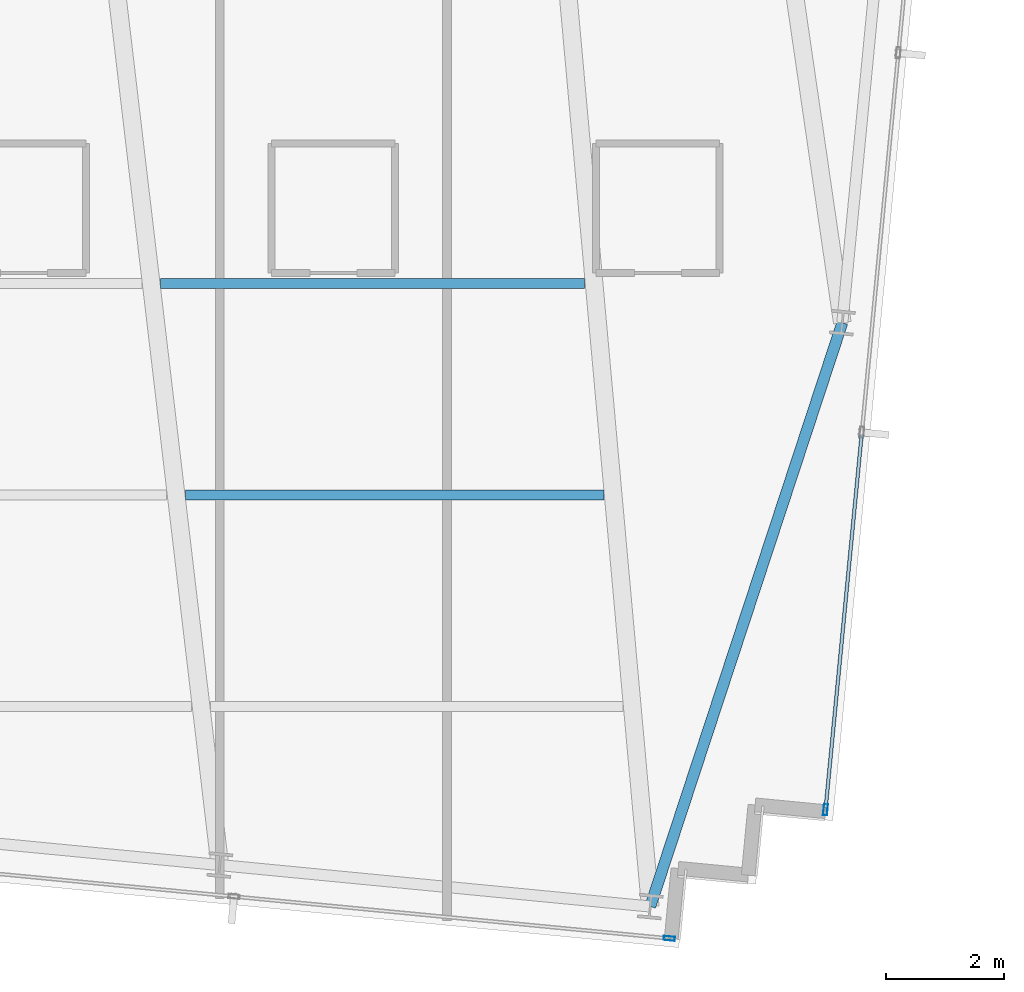
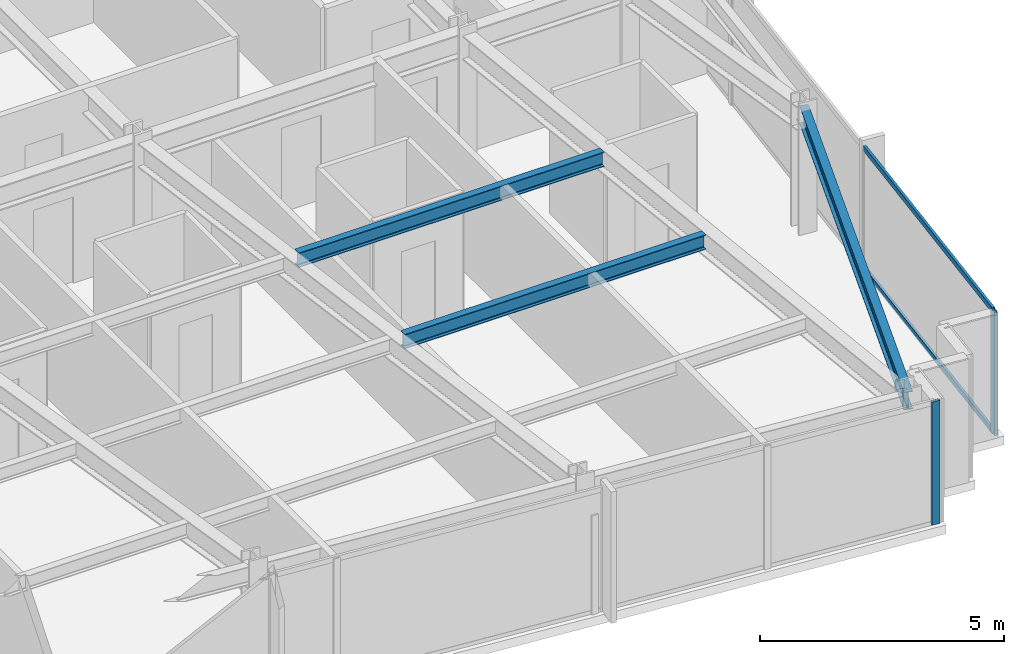
# One storey, part 14 of 37: 4 members, 3 beams, 2 elements without a shape of their own.
"""IFC4 building model written with IfcOpenShell, lengths in metres."""

from ifc_helpers import new_model, si_unit, direction, frame, origin, origin_2d, place, context, subcontext, project, spatial, hollow_rectangle, i_section, extrude, material, material_profile, profile_set, type_object, element, aggregate, save


model = new_model("IFC4")

# Units and contexts
model_context = context("Model", 3, precision=1e-05, world=origin(), true_north=direction((0.0, 1.0)))
body_context = subcontext(model_context, "Body", "Model", "MODEL_VIEW")
ifc_project = project(units=[si_unit("LENGTHUNIT", "METRE"), si_unit("AREAUNIT", "SQUARE_METRE"), si_unit("VOLUMEUNIT", "CUBIC_METRE"), si_unit("PLANEANGLEUNIT", "RADIAN"), si_unit("MASSUNIT", "GRAM", prefix="KILO")], contexts=[model_context])

# Site, building, storey
site_placement = place(None, origin())
site = spatial("IfcSite", under=ifc_project, at=site_placement, CompositionType="ELEMENT")
building_placement = place(site_placement, origin())
building = spatial("IfcBuilding", under=site, at=building_placement, Name="Yelkora Congress Tower", CompositionType="ELEMENT")
storey_placement = place(building_placement, frame((0.0, 0.0, 158.89990234375)))
storey = spatial("IfcBuildingStorey", under=building, at=storey_placement, Name="L43", CompositionType="ELEMENT", Elevation=158.89990234375)

# Beams
ifc_material_1 = material(Name="Steel S355J2", Category="steel")
ifc_material_profile_1 = material_profile(ifc_material_1, i_section(OverallWidth=0.169921875, OverallDepth=0.360107421875, WebThickness=0.008056640625, FlangeThickness=0.0126953125, FilletRadius=0.01806640625, at=origin_2d()), Name="IPE 360")
ifc_profile_set_1 = profile_set([ifc_material_profile_1], Name="Steel S355J2")
beam_type_1 = type_object("IfcBeamType", Name="BM-JOIST-IPE360", PredefinedType="JOIST", material=ifc_profile_set_1)
beam_1_placement = place(storey_placement, frame((47.27587890625, 16.421142578125, 2.900146484375), z_axis=(1.0, 0.0, 0.0), x_axis=(0.0, 1.0, 0.0)))
element("IfcBeam", 1, at=beam_1_placement, inside=storey, type_object=beam_type_1, Name="L43 Composite Floor Joist 11", PredefinedType="JOIST", context=body_context, shape_type="SweptSolid", body=[
    extrude(i_section(OverallWidth=0.169921875, OverallDepth=0.360107421875, WebThickness=0.008056640625, FlangeThickness=0.0126953125, FilletRadius=0.01806640625, at=origin_2d()), origin(), (0.0, 0.0, 1.0), 7.115234375),
])
beam_2_placement = place(storey_placement, frame((46.851318359375, 20.021240234375, 2.900146484375), z_axis=(1.0, 0.0, 0.0), x_axis=(0.0, 1.0, 0.0)))
element("IfcBeam", 2, at=beam_2_placement, inside=storey, type_object=beam_type_1, Name="L43 Composite Floor Joist 18", PredefinedType="JOIST", context=body_context, shape_type="SweptSolid", body=[
    extrude(i_section(OverallWidth=0.169921875, OverallDepth=0.360107421875, WebThickness=0.008056640625, FlangeThickness=0.0126953125, FilletRadius=0.01806640625, at=origin_2d()), origin(), (0.0, 0.0, 1.0), 7.215576171875),
])
ifc_material_profile_2 = material_profile(ifc_material_1, i_section(OverallWidth=0.18994140625, OverallDepth=0.449951171875, WebThickness=0.009521484375, FlangeThickness=0.0146484375, FilletRadius=0.02099609375, at=origin_2d()), Name="IPE 450")
ifc_profile_set_2 = profile_set([ifc_material_profile_2], Name="Steel S355J2")
beam_type_2 = type_object("IfcBeamType", Name="BM-SPAN-IPE450", PredefinedType="SPANDREL", material=ifc_profile_set_2)
beam_3_placement = place(storey_placement, frame((55.18212890625, 9.421142578125, 2.85498046875), z_axis=(0.312456737339, 0.949931990877, 0.0), x_axis=(-0.949931990877, 0.312456737339, 0.0)))
element("IfcBeam", 3, at=beam_3_placement, inside=storey, type_object=beam_type_2, Name="L43 Perimeter Beam 9", PredefinedType="SPANDREL", context=body_context, shape_type="SweptSolid", body=[
    extrude(i_section(OverallWidth=0.18994140625, OverallDepth=0.449951171875, WebThickness=0.009521484375, FlangeThickness=0.0146484375, FilletRadius=0.02099609375, at=origin_2d()), origin(), (0.0, 0.0, 1.0), 10.4560546875),
])

# Curtain wall, member
ifc_material_2 = material(Name="Anodised aluminium and insulated glass", Category="aluminium")
curtain_wall_type = type_object("IfcCurtainWallType", Name="CW-SYS-B3", PredefinedType="NOTDEFINED", material=ifc_material_2)
curtain_wall_1_placement = place(storey_placement, origin())
curtain_wall_1 = element("IfcCurtainWall", 4, at=curtain_wall_1_placement, inside=storey, type_object=curtain_wall_type, Name="L43 Unitised Curtain Wall 15", PredefinedType="NOTDEFINED")
ifc_material_3 = material(Name="Anodised aluminium 6063-T6", Category="aluminium")
ifc_material_profile_3 = material_profile(ifc_material_3, hollow_rectangle(XDim=0.070068359375, YDim=0.18994140625, WallThickness=0.00390625, at=origin_2d()), Name="ALU 70x190x4")
ifc_profile_set_3 = profile_set([ifc_material_profile_3], Name="Anodised aluminium 6063-T6")
member_type_1 = type_object("IfcMemberType", Name="MEM-ML-B3", PredefinedType="MULLION", material=ifc_profile_set_3)
member_1_placement = place(storey_placement, frame((58.163818359375, 11.068115234375, 0.0), z_axis=(0.0, 0.0, 1.0), x_axis=(0.995396565076, -0.095841944023, 0.0)))
member_1 = element("IfcMember", 5, at=member_1_placement, type_object=member_type_1, Name="CW-B3 mullion 6", PredefinedType="MULLION", context=body_context, shape_type="SweptSolid", body=[
    extrude(hollow_rectangle(XDim=0.070068359375, YDim=0.18994140625, WallThickness=0.00390625, at=origin_2d()), origin(), (0.0, 0.0, 1.0), 3.080078125),
])

curtain_wall_2_placement = place(storey_placement, origin())
curtain_wall_2 = element("IfcCurtainWall", 6, at=curtain_wall_2_placement, inside=storey, type_object=curtain_wall_type, Name="L43 Unitised Curtain Wall 20", PredefinedType="NOTDEFINED")
member_2_placement = place(storey_placement, frame((55.506591796875, 8.877685546875, 0.0), z_axis=(0.0, 0.0, 1.0), x_axis=(-0.095844680679, -0.995396301573, 0.0)))
member_2 = element("IfcMember", 7, at=member_2_placement, type_object=member_type_1, Name="CW-B3 mullion 1", PredefinedType="MULLION", context=body_context, shape_type="SweptSolid", body=[
    extrude(hollow_rectangle(XDim=0.070068359375, YDim=0.18994140625, WallThickness=0.00390625, at=origin_2d()), origin(), (0.0, 0.0, 1.0), 3.080078125),
])
aggregate(curtain_wall_2, [member_2])

# Member
ifc_material_profile_4 = material_profile(ifc_material_3, hollow_rectangle(XDim=0.06005859375, YDim=0.1298828125, WallThickness=0.00390625, at=origin_2d()), Name="ALU 60x130x4")
ifc_profile_set_4 = profile_set([ifc_material_profile_4], Name="Anodised aluminium 6063-T6")
member_type_2 = type_object("IfcMemberType", Name="MEM-TR-B3", PredefinedType="USERDEFINED", material=ifc_profile_set_4)
member_3_placement = place(storey_placement, frame((58.778564453125, 17.45263671875, 0.030029296875), z_axis=(-0.095869192297, -0.995393941095, 0.0), x_axis=(0.995393941095, -0.095869192297, 0.0)))
member_3 = element("IfcMember", 8, at=member_3_placement, type_object=member_type_2, Name="CW-B3 transom 5.1", ObjectType="TRANSOM", PredefinedType="USERDEFINED", context=body_context, shape_type="SweptSolid", body=[
    extrude(hollow_rectangle(XDim=0.06005859375, YDim=0.1298828125, WallThickness=0.00390625, at=origin_2d()), origin(), (0.0, 0.0, 1.0), 6.379150390625),
])

member_4_placement = place(storey_placement, frame((58.778564453125, 17.45263671875, 3.050048828125), z_axis=(-0.095869192297, -0.995393941095, 0.0), x_axis=(0.995393941095, -0.095869192297, 0.0)))
member_4 = element("IfcMember", 9, at=member_4_placement, type_object=member_type_2, Name="CW-B3 transom 5.2", ObjectType="TRANSOM", PredefinedType="USERDEFINED", context=body_context, shape_type="SweptSolid", body=[
    extrude(hollow_rectangle(XDim=0.06005859375, YDim=0.1298828125, WallThickness=0.00390625, at=origin_2d()), origin(), (0.0, 0.0, 1.0), 6.379150390625),
])

aggregate(curtain_wall_1, [member_1, member_3, member_4])

save(model, "model.ifc")
